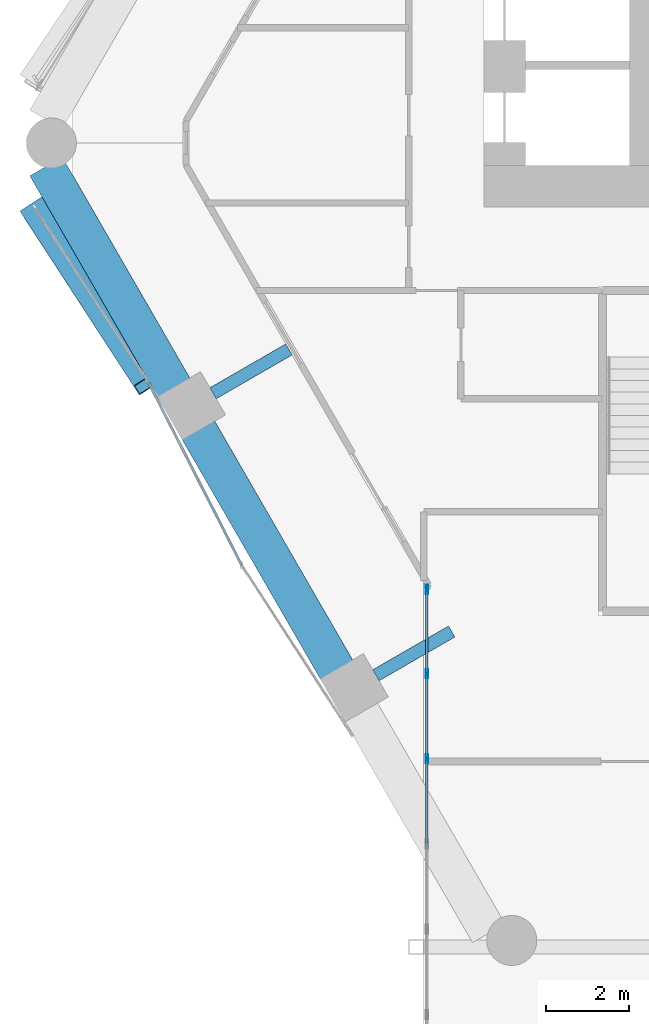
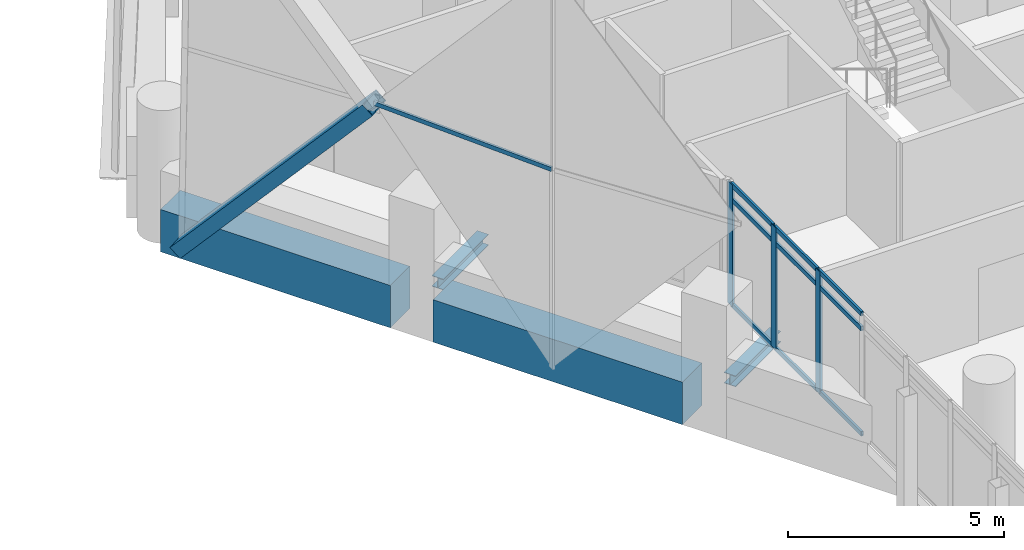
# One storey, part 10 of 38: 14 members, 4 beams, 2 elements without a shape of their own.
"""IFC4 building model written with IfcOpenShell, lengths in metres."""

import ifcopenshell
import ifcopenshell.guid

model = None  # the IFC model being written
_history = None  # IfcOwnerHistory: only IFC2X3 demands one
_inside = {}  # id of a spatial element -> (the spatial element, [elements in it])
_under = {}  # id of a project, library or spatial element -> (it, [spatial elements below it])
_declared = {}  # id of a project -> (the project, [libraries it declares])
_typed = {}  # id of a type object -> (the type object, [elements of that type])
_made_of = {}  # id of a material, layer set ... -> (it, [elements and type objects made of it])


def new_model(schema):
    """Start an empty IFC model of exactly this schema.

    Asked for "IFC4X3", IfcOpenShell would pick the latest addendum, in which some entities
    have other attributes; the version numbers below select the first issue.
    IFC2X3 requires an IfcOwnerHistory on every rooted entity: one is made here for all.
    """
    global model, _history
    if schema == "IFC4X3":
        model = ifcopenshell.file(schema_version=(4, 3, 0, 0))
    else:
        model = ifcopenshell.file(schema=schema)
    _inside.clear()
    _under.clear()
    _declared.clear()
    _typed.clear()
    _made_of.clear()
    _history = None
    if model.schema == "IFC2X3":
        org = make("IfcOrganization", Name="unknown")
        user = make(
            "IfcPersonAndOrganization",
            ThePerson=make("IfcPerson", FamilyName="unknown"),
            TheOrganization=org,
        )
        app = make(
            "IfcApplication",
            ApplicationDeveloper=org,
            Version="unknown",
            ApplicationFullName="unknown",
            ApplicationIdentifier="unknown",
        )
        _history = make(
            "IfcOwnerHistory",
            OwningUser=user,
            OwningApplication=app,
            ChangeAction="ADDED",
            CreationDate=0,
        )
    return model


def make(cls, **values):
    """One entity of the class cls with the attributes given. An attribute that is None is left unset."""
    return model.create_entity(
        cls, **{name: value for name, value in values.items() if value is not None}
    )


def rooted(cls, **values):
    """An entity with a GlobalId (a new one), such as an element, a storey or a relation."""
    return make(cls, GlobalId=ifcopenshell.guid.new(), OwnerHistory=_history, **values)


def si_unit(unit_type, name, prefix=None):
    """IfcSIUnit, for example si_unit("LENGTHUNIT", "METRE", prefix="MILLI")."""
    return make("IfcSIUnit", UnitType=unit_type, Prefix=prefix, Name=name)


def assignment(units):
    """IfcUnitAssignment: the units of a project."""
    return None if units is None else make("IfcUnitAssignment", Units=units)


def point(xyz):
    """IfcCartesianPoint."""
    return None if xyz is None else make("IfcCartesianPoint", Coordinates=xyz)


def direction(xyz):
    """IfcDirection."""
    return None if xyz is None else make("IfcDirection", DirectionRatios=xyz)


def frame(location, z_axis=None, x_axis=None):
    """IfcAxis2Placement3D, a coordinate frame: its origin and axes. An axis left out is left unset."""
    return make(
        "IfcAxis2Placement3D",
        Location=point(location),
        Axis=direction(z_axis),
        RefDirection=direction(x_axis),
    )


def frame_2d(location, x_axis=None):
    """IfcAxis2Placement2D, a coordinate frame in the plane: its origin and x axis."""
    return make(
        "IfcAxis2Placement2D", Location=point(location), RefDirection=direction(x_axis)
    )


def origin():
    """The frame at (0, 0, 0) with its axes left unset."""
    return frame((0.0, 0.0, 0.0))


def origin_2d():
    """The frame at (0, 0) in the plane with its x axis left unset."""
    return frame_2d((0.0, 0.0))


def place(relative_to, where):
    """IfcLocalPlacement: puts the frame where relative to a parent placement (None: the world)."""
    return make(
        "IfcLocalPlacement", PlacementRelTo=relative_to, RelativePlacement=where
    )


def context(
    kind, dimensions, precision=None, world=None, true_north=None, identifier=None
):
    """IfcGeometricRepresentationContext, for example the 3D "Model" context."""
    return make(
        "IfcGeometricRepresentationContext",
        ContextIdentifier=identifier,
        ContextType=kind,
        CoordinateSpaceDimension=dimensions,
        Precision=precision,
        WorldCoordinateSystem=world,
        TrueNorth=true_north,
    )


def subcontext(parent, identifier, kind, view, scale=None):
    """IfcGeometricRepresentationSubContext, for example "Body" below "Model"."""
    return make(
        "IfcGeometricRepresentationSubContext",
        ContextIdentifier=identifier,
        ContextType=kind,
        ParentContext=parent,
        TargetScale=scale,
        TargetView=view,
    )


def project(units=None, contexts=None):
    """IfcProject with its units and contexts."""
    return rooted(
        "IfcProject",
        Name="project",
        RepresentationContexts=contexts,
        UnitsInContext=assignment(units),
    )


def spatial(cls, under=None, at=None, **own):
    """A site, building, storey or space (cls), placed at a placement, below another one or the project."""
    s = rooted(cls, ObjectPlacement=at, **own)
    if under is not None:
        _under.setdefault(under.id(), (under, []))[1].append(s)
    return s


def profile(cls, at=None, kind="AREA", **sizes):
    """A parametric profile (cls). Its sizes go by their IFC names, for example OverallWidth=200.0."""
    return make(cls, ProfileType=kind, Position=at, **sizes)


def rectangle(**sizes):
    """IfcRectangleProfileDef."""
    return profile("IfcRectangleProfileDef", **sizes)


def hollow_rectangle(**sizes):
    """IfcRectangleHollowProfileDef."""
    return profile("IfcRectangleHollowProfileDef", **sizes)


def i_section(**sizes):
    """IfcIShapeProfileDef."""
    return profile("IfcIShapeProfileDef", **sizes)


def extrude(swept, where, along, depth):
    """IfcExtrudedAreaSolid: the profile swept, set in the frame where, extruded along a direction by depth."""
    return make(
        "IfcExtrudedAreaSolid",
        SweptArea=swept,
        Position=where,
        ExtrudedDirection=direction(along),
        Depth=depth,
    )


def shape(context_of_items, identifier, shape_type, items):
    """IfcShapeRepresentation: the items that make up one representation, for example the "Body"."""
    return make(
        "IfcShapeRepresentation",
        ContextOfItems=context_of_items,
        RepresentationIdentifier=identifier,
        RepresentationType=shape_type,
        Items=items,
    )


def material(Name=None, Category=None):
    """IfcMaterial."""
    return make("IfcMaterial", Name=Name, Category=Category)


def material_profile(
    of_material, cross_section, Name=None, Category=None, Priority=None
):
    """IfcMaterialProfile: a cross section and its material."""
    return make(
        "IfcMaterialProfile",
        Name=Name,
        Material=of_material,
        Profile=cross_section,
        Priority=Priority,
        Category=Category,
    )


def profile_set(profiles, Name=None, composite=None):
    """IfcMaterialProfileSet."""
    return make(
        "IfcMaterialProfileSet",
        Name=Name,
        MaterialProfiles=profiles,
        CompositeProfile=composite,
    )


def made_of(thing, what):
    """Note that an element or type object is made of a material, layer set ...; save() writes the relation."""
    if what is not None:
        _made_of.setdefault(what.id(), (what, []))[1].append(thing)
    return thing


def type_object(cls, material=None, **own):
    """A type object (cls), such as IfcWallType, which elements share."""
    return made_of(rooted(cls, **own), material)


def element(
    cls,
    number,
    at=None,
    inside=None,
    cuts=None,
    type_object=None,
    material=None,
    context=None,
    identifier="Body",
    shape_type=None,
    held_by="IfcProductDefinitionShape",
    body=None,
    shapes=None,
    **own,
):
    """One element of the class cls, such as IfcWall. Its Tag is "e" and its number.

    at: its placement. inside: the storey or other place that contains it. cuts: it is an
    opening in that element (IfcRelVoidsElement). A single representation is given by context,
    identifier, shape_type and body (its items); several are given by shapes. held_by: the class
    of the entity that holds the representations. save() writes the other relations.
    """
    e = rooted(cls, Tag="e%d" % number, ObjectPlacement=at, **own)
    if body is not None:
        shapes = [shape(context, identifier, shape_type, body)]
    if shapes is not None:
        e.Representation = make(held_by, Representations=shapes)
    if inside is not None:
        _inside.setdefault(inside.id(), (inside, []))[1].append(e)
    if cuts is not None:
        rooted(
            "IfcRelVoidsElement", RelatingBuildingElement=cuts, RelatedOpeningElement=e
        )
    if type_object is not None:
        _typed.setdefault(type_object.id(), (type_object, []))[1].append(e)
    return made_of(e, material)


def aggregate(whole, parts):
    """IfcRelAggregates: a whole, such as a stair, and the parts it consists of."""
    return rooted("IfcRelAggregates", RelatingObject=whole, RelatedObjects=parts)


def save(model, path):
    """Write the relations noted so far, then the file.

    IfcRelAggregates (storeys below a building ...), IfcRelContainedInSpatialStructure (elements
    in a storey), IfcRelDefinesByType, IfcRelAssociatesMaterial and IfcRelDeclares: one each for
    every whole, place, type object, material and project.
    """
    for whole, parts in _under.values():
        aggregate(whole, parts)
    for where, things in _inside.values():
        rooted(
            "IfcRelContainedInSpatialStructure",
            RelatedElements=things,
            RelatingStructure=where,
        )
    for kind, things in _typed.values():
        rooted("IfcRelDefinesByType", RelatedObjects=things, RelatingType=kind)
    for what, things in _made_of.values():
        rooted("IfcRelAssociatesMaterial", RelatedObjects=things, RelatingMaterial=what)
    for by, libraries in _declared.values():
        rooted("IfcRelDeclares", RelatingContext=by, RelatedDefinitions=libraries)
    model.write(path)


model = new_model("IFC4")

# Units and contexts
model_context = context("Model", 3, precision=1e-05, world=origin(), true_north=direction((0.0, 1.0)))
body_context = subcontext(model_context, "Body", "Model", "MODEL_VIEW")
ifc_project = project(units=[si_unit("LENGTHUNIT", "METRE"), si_unit("AREAUNIT", "SQUARE_METRE"), si_unit("VOLUMEUNIT", "CUBIC_METRE"), si_unit("PLANEANGLEUNIT", "RADIAN"), si_unit("MASSUNIT", "GRAM", prefix="KILO")], contexts=[model_context])

# Site, building, storey
site_placement = place(None, origin())
site = spatial("IfcSite", under=ifc_project, at=site_placement, CompositionType="ELEMENT")
building_placement = place(site_placement, origin())
building = spatial("IfcBuilding", under=site, at=building_placement, Name="Ostrander Bayou Hotel Tower", CompositionType="ELEMENT")
storey_placement = place(building_placement, frame((0.0, 0.0, 96.75)))
storey = spatial("IfcBuildingStorey", under=building, at=storey_placement, Name="L24", CompositionType="ELEMENT", Elevation=96.75)

# Curtain wall, members
ifc_material_1 = material(Name="Aluminium and clear glass", Category="aluminium")
curtain_wall_type_1 = type_object("IfcCurtainWallType", Name="CW-BAR glazed wall", PredefinedType="NOTDEFINED", material=ifc_material_1)
curtain_wall_1_placement = place(storey_placement, origin())
curtain_wall_1 = element("IfcCurtainWall", 1, at=curtain_wall_1_placement, inside=storey, type_object=curtain_wall_type_1, Name="CW-BAR L24:SB2S:E", PredefinedType="NOTDEFINED")
ifc_material_2 = material(Name="Aluminium", Category="aluminium")
ifc_material_profile_1 = material_profile(ifc_material_2, hollow_rectangle(XDim=0.06005859375, YDim=0.219970703125, WallThickness=0.00390625, at=origin_2d()))
ifc_profile_set_1 = profile_set([ifc_material_profile_1], Name="Aluminium")
member_type_1 = type_object("IfcMemberType", Name="CW-BR mullion 60 x 220 mm", PredefinedType="MULLION", material=ifc_profile_set_1)
member_1_placement = place(storey_placement, frame((-13.3671875, -10.877197265625, 0.0), z_axis=(0.0, 0.0, 1.0), x_axis=(1.0, 0.0, 0.0)))
member_1 = element("IfcMember", 2, at=member_1_placement, type_object=member_type_1, Name="CW-BAR mullion 1", PredefinedType="MULLION", context=body_context, shape_type="SweptSolid", body=[
    extrude(hollow_rectangle(XDim=0.06005859375, YDim=0.219970703125, WallThickness=0.00390625, at=origin_2d()), origin(), (0.0, 0.0, 1.0), 3.449951171875),
])
member_2_placement = place(storey_placement, frame((-13.3671875, -12.892822265625, 0.0), z_axis=(0.0, 0.0, 1.0), x_axis=(1.0, 0.0, 0.0)))
member_2 = element("IfcMember", 3, at=member_2_placement, type_object=member_type_1, Name="CW-BAR mullion 2", PredefinedType="MULLION", context=body_context, shape_type="SweptSolid", body=[
    extrude(hollow_rectangle(XDim=0.06005859375, YDim=0.219970703125, WallThickness=0.00390625, at=origin_2d()), origin(), (0.0, 0.0, 1.0), 3.449951171875),
])
member_3_placement = place(storey_placement, frame((-13.3671875, -14.938232421875, 0.0), z_axis=(0.0, 0.0, 1.0), x_axis=(1.0, 0.0, 0.0)))
member_3 = element("IfcMember", 4, at=member_3_placement, type_object=member_type_1, Name="CW-BAR mullion 3", PredefinedType="MULLION", context=body_context, shape_type="SweptSolid", body=[
    extrude(hollow_rectangle(XDim=0.06005859375, YDim=0.219970703125, WallThickness=0.00390625, at=origin_2d()), origin(), (0.0, 0.0, 1.0), 3.449951171875),
])
ifc_material_3 = material(Name="Aluminium", Category="aluminium")
ifc_material_profile_2 = material_profile(ifc_material_3, hollow_rectangle(XDim=0.06005859375, YDim=0.1298828125, WallThickness=0.00390625, at=origin_2d()))
ifc_profile_set_2 = profile_set([ifc_material_profile_2], Name="Aluminium")
member_type_2 = type_object("IfcMemberType", Name="CW-BR transom 60 x 130 mm", PredefinedType="USERDEFINED", material=ifc_profile_set_2)
member_4_placement = place(storey_placement, frame((-13.3671875, -10.9072265625, 0.030029296875), z_axis=(0.0, -1.0, 0.0), x_axis=(1.0, 0.0, 0.0)))
member_4 = element("IfcMember", 5, at=member_4_placement, type_object=member_type_2, Name="CW-BAR transom 1.1", ObjectType="TRANSOM", PredefinedType="USERDEFINED", context=body_context, shape_type="SweptSolid", body=[
    extrude(hollow_rectangle(XDim=0.06005859375, YDim=0.1298828125, WallThickness=0.00390625, at=origin_2d()), origin(), (0.0, 0.0, 1.0), 1.95556640625),
])
member_5_placement = place(storey_placement, frame((-13.3671875, -10.9072265625, 3.0), z_axis=(0.0, -1.0, 0.0), x_axis=(1.0, 0.0, 0.0)))
member_5 = element("IfcMember", 6, at=member_5_placement, type_object=member_type_2, Name="CW-BAR transom 1.2", ObjectType="TRANSOM", PredefinedType="USERDEFINED", context=body_context, shape_type="SweptSolid", body=[
    extrude(hollow_rectangle(XDim=0.06005859375, YDim=0.1298828125, WallThickness=0.00390625, at=origin_2d()), origin(), (0.0, 0.0, 1.0), 1.95556640625),
])
member_6_placement = place(storey_placement, frame((-13.3671875, -10.9072265625, 3.419921875), z_axis=(0.0, -1.0, 0.0), x_axis=(1.0, 0.0, 0.0)))
member_6 = element("IfcMember", 7, at=member_6_placement, type_object=member_type_2, Name="CW-BAR transom 1.3", ObjectType="TRANSOM", PredefinedType="USERDEFINED", context=body_context, shape_type="SweptSolid", body=[
    extrude(hollow_rectangle(XDim=0.06005859375, YDim=0.1298828125, WallThickness=0.00390625, at=origin_2d()), origin(), (0.0, 0.0, 1.0), 1.95556640625),
])
member_7_placement = place(storey_placement, frame((-13.3671875, -12.9228515625, 0.030029296875), z_axis=(0.0, -1.0, 0.0), x_axis=(1.0, 0.0, 0.0)))
member_7 = element("IfcMember", 8, at=member_7_placement, type_object=member_type_2, Name="CW-BAR transom 2.1", ObjectType="TRANSOM", PredefinedType="USERDEFINED", context=body_context, shape_type="SweptSolid", body=[
    extrude(hollow_rectangle(XDim=0.06005859375, YDim=0.1298828125, WallThickness=0.00390625, at=origin_2d()), origin(), (0.0, 0.0, 1.0), 1.9853515625),
])
member_8_placement = place(storey_placement, frame((-13.3671875, -12.9228515625, 3.0), z_axis=(0.0, -1.0, 0.0), x_axis=(1.0, 0.0, 0.0)))
member_8 = element("IfcMember", 9, at=member_8_placement, type_object=member_type_2, Name="CW-BAR transom 2.2", ObjectType="TRANSOM", PredefinedType="USERDEFINED", context=body_context, shape_type="SweptSolid", body=[
    extrude(hollow_rectangle(XDim=0.06005859375, YDim=0.1298828125, WallThickness=0.00390625, at=origin_2d()), origin(), (0.0, 0.0, 1.0), 1.9853515625),
])
member_9_placement = place(storey_placement, frame((-13.3671875, -12.9228515625, 3.419921875), z_axis=(0.0, -1.0, 0.0), x_axis=(1.0, 0.0, 0.0)))
member_9 = element("IfcMember", 10, at=member_9_placement, type_object=member_type_2, Name="CW-BAR transom 2.3", ObjectType="TRANSOM", PredefinedType="USERDEFINED", context=body_context, shape_type="SweptSolid", body=[
    extrude(hollow_rectangle(XDim=0.06005859375, YDim=0.1298828125, WallThickness=0.00390625, at=origin_2d()), origin(), (0.0, 0.0, 1.0), 1.9853515625),
])
member_10_placement = place(storey_placement, frame((-13.3671875, -14.96826171875, 0.030029296875), z_axis=(0.0, -1.0, 0.0), x_axis=(1.0, 0.0, 0.0)))
member_10 = element("IfcMember", 11, at=member_10_placement, type_object=member_type_2, Name="CW-BAR transom 3.1", ObjectType="TRANSOM", PredefinedType="USERDEFINED", context=body_context, shape_type="SweptSolid", body=[
    extrude(hollow_rectangle(XDim=0.06005859375, YDim=0.1298828125, WallThickness=0.00390625, at=origin_2d()), origin(), (0.0, 0.0, 1.0), 1.985595703125),
])
member_11_placement = place(storey_placement, frame((-13.3671875, -14.96826171875, 3.0), z_axis=(0.0, -1.0, 0.0), x_axis=(1.0, 0.0, 0.0)))
member_11 = element("IfcMember", 12, at=member_11_placement, type_object=member_type_2, Name="CW-BAR transom 3.2", ObjectType="TRANSOM", PredefinedType="USERDEFINED", context=body_context, shape_type="SweptSolid", body=[
    extrude(hollow_rectangle(XDim=0.06005859375, YDim=0.1298828125, WallThickness=0.00390625, at=origin_2d()), origin(), (0.0, 0.0, 1.0), 1.985595703125),
])
member_12_placement = place(storey_placement, frame((-13.3671875, -14.96826171875, 3.419921875), z_axis=(0.0, -1.0, 0.0), x_axis=(1.0, 0.0, 0.0)))
member_12 = element("IfcMember", 13, at=member_12_placement, type_object=member_type_2, Name="CW-BAR transom 3.3", ObjectType="TRANSOM", PredefinedType="USERDEFINED", context=body_context, shape_type="SweptSolid", body=[
    extrude(hollow_rectangle(XDim=0.06005859375, YDim=0.1298828125, WallThickness=0.00390625, at=origin_2d()), origin(), (0.0, 0.0, 1.0), 1.985595703125),
])
aggregate(curtain_wall_1, [member_1, member_2, member_3, member_4, member_5, member_6, member_7, member_8, member_9, member_10, member_11, member_12])

# Curtain wall, member
ifc_material_4 = material(Name="Aluminium and clear glass", Category="aluminium")
curtain_wall_type_2 = type_object("IfcCurtainWallType", Name="CW-LAT lattice glazing", PredefinedType="NOTDEFINED", material=ifc_material_4)
curtain_wall_2_placement = place(storey_placement, origin())
curtain_wall_2 = element("IfcCurtainWall", 14, at=curtain_wall_2_placement, inside=storey, type_object=curtain_wall_type_2, Name="CW-LAT L24 SW 2", PredefinedType="NOTDEFINED")
ifc_material_5 = material(Name="Aluminium", Category="aluminium")
ifc_material_profile_3 = material_profile(ifc_material_5, hollow_rectangle(XDim=0.06005859375, YDim=0.1201171875, WallThickness=0.00390625, at=origin_2d()))
ifc_profile_set_3 = profile_set([ifc_material_profile_3], Name="Aluminium")
member_type_3 = type_object("IfcMemberType", Name="CW-LA transom 60 x 120 mm", PredefinedType="USERDEFINED", material=ifc_profile_set_3)
member_13_placement = place(storey_placement, frame((-17.814208984375, -10.284912109375, 5.02490234375), z_axis=(-0.453530737522, 0.891240635363, 0.0), x_axis=(-0.891240635363, -0.453530737522, 0.0)))
member_13 = element("IfcMember", 15, at=member_13_placement, type_object=member_type_3, Name="CW-LAT transom 6", ObjectType="TRANSOM", PredefinedType="USERDEFINED", context=body_context, shape_type="SweptSolid", body=[
    extrude(hollow_rectangle(XDim=0.06005859375, YDim=0.1201171875, WallThickness=0.00390625, at=origin_2d()), origin(), (0.0, 0.0, 1.0), 4.9072265625),
])
aggregate(curtain_wall_2, [member_13])

# Beams
ifc_material_6 = material(Name="Steel ASTM A992", Category="steel")
ifc_material_profile_4 = material_profile(ifc_material_6, i_section(OverallWidth=0.3046875, OverallDepth=0.307861328125, WebThickness=0.010009765625, FlangeThickness=0.015380859375, at=origin_2d()))
ifc_profile_set_4 = profile_set([ifc_material_profile_4], Name="Steel ASTM A992")
beam_type_1 = type_object("IfcBeamType", Name="LB1 loggia bracket W12x65", PredefinedType="BEAM", material=ifc_profile_set_4)
for number, where, z_axis, x_axis, name in (
    (16, (-18.494384765625, -6.166748046875, -0.453857421875), (0.866009402589, 0.500027713859, 0.0), (-0.500027713859, 0.866009402589, 0.0), "LB1 L24 SW1"),
    (17, (-14.587646484375, -12.933349609375, -0.453857421875), (0.866009402589, 0.500027713859, 0.0), (-0.500027713859, 0.866009402589, 0.0), "LB1 L24 SW2"),
):
    element("IfcBeam", number, at=place(storey_placement, frame(where, z_axis=z_axis, x_axis=x_axis)), inside=storey, type_object=beam_type_1, Name=name, PredefinedType="BEAM", context=body_context, shape_type="SweptSolid", body=[
        extrude(i_section(OverallWidth=0.3046875, OverallDepth=0.307861328125, WebThickness=0.010009765625, FlangeThickness=0.015380859375, at=origin_2d()), origin(), (0.0, 0.0, 1.0), 2.10009765625),
    ])

# Member
ifc_material_7 = material(Name="Steel ASTM A572 Gr 50", Category="steel")
ifc_material_profile_5 = material_profile(ifc_material_7, hollow_rectangle(XDim=0.699951171875, YDim=0.35009765625, WallThickness=0.02490234375, at=origin_2d()))
ifc_profile_set_5 = profile_set([ifc_material_profile_5], Name="Steel ASTM A572 Gr 50")
member_type_4 = type_object("IfcMemberType", Name="LT1 lattice member box 700 x 350 x 25 mm", PredefinedType="BRACE", material=ifc_profile_set_5)
member_14_placement = place(storey_placement, frame((-20.039794921875, -5.911376953125, 5.02490234375), z_axis=(-0.361641212677, 0.557478848743, -0.747283725567), x_axis=(-0.838938399755, -0.544226388019, 0.0)))
element("IfcMember", 18, at=member_14_placement, inside=storey, type_object=member_type_4, Name="LT1 L24 SW 1", PredefinedType="BRACE", context=body_context, shape_type="SweptSolid", body=[
    extrude(hollow_rectangle(XDim=0.699951171875, YDim=0.35009765625, WallThickness=0.02490234375, at=origin_2d()), origin(), (0.0, 0.0, 1.0), 7.52734375),
])

# Beams
ifc_material_8 = material(Name="Concrete f'c 70 MPa", Category="concrete")
ifc_material_profile_6 = material_profile(ifc_material_8, rectangle(XDim=0.89990234375, YDim=1.199951171875, at=origin_2d()))
ifc_profile_set_6 = profile_set([ifc_material_profile_6], Name="Concrete f'c 70 MPa")
beam_type_2 = type_object("IfcBeamType", Name="SP2 spandrel beam 900 x 1200 mm f'c 70 MPa", PredefinedType="SPANDREL", material=ifc_profile_set_6)
beam_1_placement = place(storey_placement, frame((-22.5009765625, -0.727294921875, -0.60009765625), z_axis=(0.500006801911, -0.866021476663, 0.0), x_axis=(0.866021476663, 0.500006801911, 0.0)))
element("IfcBeam", 19, at=beam_1_placement, inside=storey, type_object=beam_type_2, Name="SP2 L24 SW-1", PredefinedType="SPANDREL", context=body_context, shape_type="SweptSolid", body=[
    extrude(rectangle(XDim=0.89990234375, YDim=1.199951171875, at=origin_2d()), origin(), (0.0, 0.0, 1.0), 6.14404296875),
])
beam_2_placement = place(storey_placement, frame((-18.85888671875, -7.035400390625, -0.60009765625), z_axis=(0.499999023957, -0.866025967302, 0.0), x_axis=(0.866025967302, 0.499999023957, 0.0)))
element("IfcBeam", 20, at=beam_2_placement, inside=storey, type_object=beam_type_2, Name="SP2 L24 SW-2", PredefinedType="SPANDREL", context=body_context, shape_type="SweptSolid", body=[
    extrude(rectangle(XDim=0.89990234375, YDim=1.199951171875, at=origin_2d()), origin(), (0.0, 0.0, 1.0), 6.67333984375),
])

save(model, "model.ifc")
